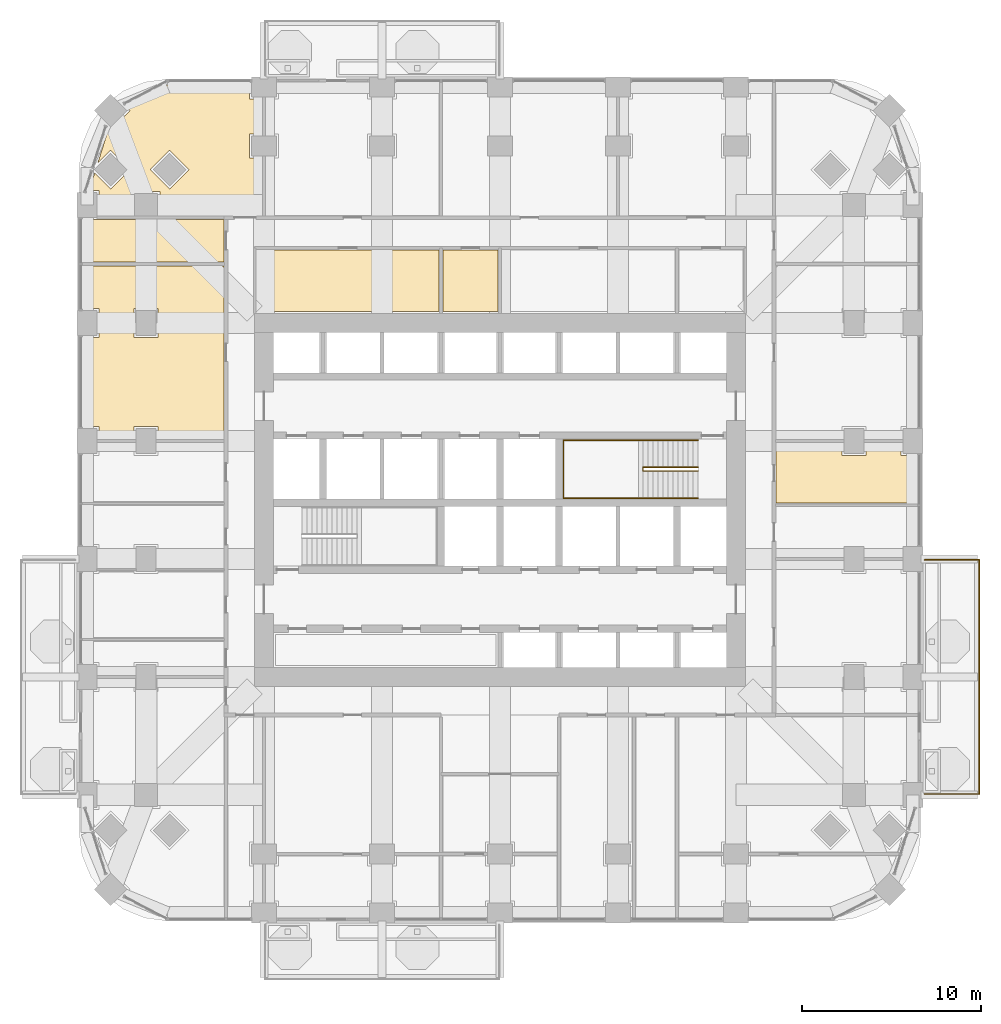
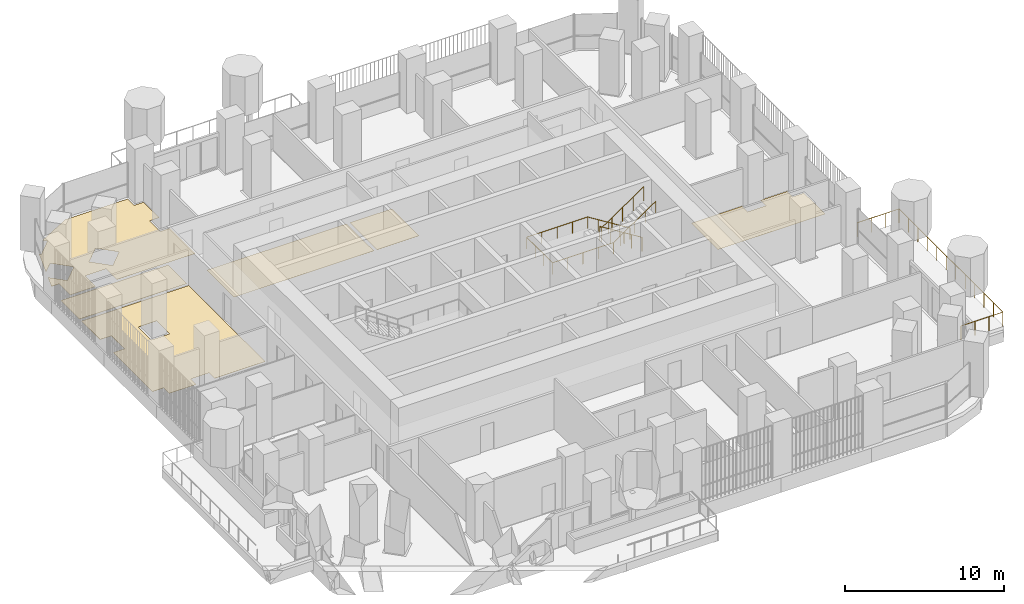
# One storey, part 19 of 21: 6 coverings, 3 railings.
"""IFC4 building model written with IfcOpenShell, lengths in metres."""

from ifc_helpers import new_model, si_unit, direction, frame, origin, place, context, subcontext, project, spatial, polyline, outline, extrude, material, layer, layer_set, type_object, element, save


model = new_model("IFC4")

# Units and contexts
model_context = context("Model", 3, precision=1e-05, world=origin(), true_north=direction((0.0, 1.0)))
body_context = subcontext(model_context, "Body", "Model", "MODEL_VIEW")
ifc_project = project(units=[si_unit("LENGTHUNIT", "METRE"), si_unit("AREAUNIT", "SQUARE_METRE"), si_unit("VOLUMEUNIT", "CUBIC_METRE"), si_unit("PLANEANGLEUNIT", "RADIAN"), si_unit("MASSUNIT", "GRAM", prefix="KILO")], contexts=[model_context])

# Site, building, storey
site_placement = place(None, origin())
site = spatial("IfcSite", under=ifc_project, at=site_placement, CompositionType="ELEMENT")
building_placement = place(site_placement, origin())
building = spatial("IfcBuilding", under=site, at=building_placement, Name="Cobogo Forest Laboratory Tower", CompositionType="ELEMENT")
storey_placement = place(building_placement, frame((0.0, 0.0, 115.800048828125)))
storey = spatial("IfcBuildingStorey", under=building, at=storey_placement, Name="L26", CompositionType="ELEMENT", Elevation=115.800048828125)

# Railing
ifc_material_1 = material(Name="Laminated glass balustrade", Category="glass")
railing_type_1 = type_object("IfcRailingType", Name="BG1 glass balustrade 1100", PredefinedType="GUARDRAIL", material=ifc_material_1)
railing_1_placement = place(storey_placement, frame((50.14990234375, 6.64990234375, 0.0)))
element("IfcRailing", 1, at=railing_1_placement, inside=storey, type_object=railing_type_1, Name="Balcony balustrade BAL-E1 L26", PredefinedType="GUARDRAIL", context=body_context, shape_type="SweptSolid", body=[
    extrude(outline(polyline([(0.022216796875, 0.00927734375), (0.00927734375, 0.022216796875), (-0.00927734375, 0.022216796875), (-0.022216796875, 0.00927734375), (-0.022216796875, -0.00927734375), (-0.00927734375, -0.022216796875), (0.00927734375, -0.022216796875), (0.022216796875, -0.00927734375), (0.022216796875, 0.00927734375)])), frame((0.0, 0.0, 1.077880859375), z_axis=(1.0, 0.0, 0.0), x_axis=(0.0, 1.0, 0.0)), (0.0, 0.0, 1.0), 3.050048828125),
    extrude(outline(polyline([(0.022216796875, 0.00927734375), (0.00927734375, 0.022216796875), (-0.00927734375, 0.022216796875), (-0.022216796875, 0.00927734375), (-0.022216796875, -0.00927734375), (-0.00927734375, -0.022216796875), (0.00927734375, -0.022216796875), (0.022216796875, -0.00927734375), (0.022216796875, 0.00927734375)])), frame((3.050048828125, 0.0, 1.077880859375), z_axis=(0.0, 1.0, 0.0), x_axis=(-1.0, 0.0, 0.0)), (0.0, 0.0, 1.0), 13.10009765625),
    extrude(outline(polyline([(0.022216796875, 0.00927734375), (0.00927734375, 0.022216796875), (-0.00927734375, 0.022216796875), (-0.022216796875, 0.00927734375), (-0.022216796875, -0.00927734375), (-0.00927734375, -0.022216796875), (0.00927734375, -0.022216796875), (0.022216796875, -0.00927734375), (0.022216796875, 0.00927734375)])), frame((3.050048828125, 13.10009765625, 1.077880859375), z_axis=(-1.0, 0.0, 0.0), x_axis=(0.0, -1.0, 0.0)), (0.0, 0.0, 1.0), 3.050048828125),
    extrude(outline(polyline([(0.019287109375, 0.008056640625), (0.008056640625, 0.019287109375), (-0.008056640625, 0.019287109375), (-0.019287109375, 0.008056640625), (-0.019287109375, -0.008056640625), (-0.008056640625, -0.019287109375), (0.008056640625, -0.019287109375), (0.019287109375, -0.008056640625), (0.019287109375, 0.008056640625)])), origin(), (0.0, 0.0, 1.0), 1.077880859375),
    extrude(outline(polyline([(0.019287109375, 0.008056640625), (0.008056640625, 0.019287109375), (-0.008056640625, 0.019287109375), (-0.019287109375, 0.008056640625), (-0.019287109375, -0.008056640625), (-0.008056640625, -0.019287109375), (0.008056640625, -0.019287109375), (0.019287109375, -0.008056640625), (0.019287109375, 0.008056640625)])), frame((1.0166015625, 0.0, 0.0)), (0.0, 0.0, 1.0), 1.077880859375),
    extrude(outline(polyline([(0.019287109375, 0.008056640625), (0.008056640625, 0.019287109375), (-0.008056640625, 0.019287109375), (-0.019287109375, 0.008056640625), (-0.019287109375, -0.008056640625), (-0.008056640625, -0.019287109375), (0.008056640625, -0.019287109375), (0.019287109375, -0.008056640625), (0.019287109375, 0.008056640625)])), frame((2.033447265625, 0.0, 0.0)), (0.0, 0.0, 1.0), 1.077880859375),
    extrude(outline(polyline([(0.019287109375, 0.008056640625), (0.008056640625, 0.019287109375), (-0.008056640625, 0.019287109375), (-0.019287109375, 0.008056640625), (-0.019287109375, -0.008056640625), (-0.008056640625, -0.019287109375), (0.008056640625, -0.019287109375), (0.019287109375, -0.008056640625), (0.019287109375, 0.008056640625)])), frame((3.050048828125, 0.0, 0.0)), (0.0, 0.0, 1.0), 1.077880859375),
    extrude(outline(polyline([(0.019287109375, 0.008056640625), (0.008056640625, 0.019287109375), (-0.008056640625, 0.019287109375), (-0.019287109375, 0.008056640625), (-0.019287109375, -0.008056640625), (-0.008056640625, -0.019287109375), (0.008056640625, -0.019287109375), (0.019287109375, -0.008056640625), (0.019287109375, 0.008056640625)])), frame((3.050048828125, 1.19091796875, 0.0)), (0.0, 0.0, 1.0), 1.077880859375),
    extrude(outline(polyline([(0.019287109375, 0.008056640625), (0.008056640625, 0.019287109375), (-0.008056640625, 0.019287109375), (-0.019287109375, 0.008056640625), (-0.019287109375, -0.008056640625), (-0.008056640625, -0.019287109375), (0.008056640625, -0.019287109375), (0.019287109375, -0.008056640625), (0.019287109375, 0.008056640625)])), frame((3.050048828125, 2.3818359375, 0.0)), (0.0, 0.0, 1.0), 1.077880859375),
    extrude(outline(polyline([(0.019287109375, 0.008056640625), (0.008056640625, 0.019287109375), (-0.008056640625, 0.019287109375), (-0.019287109375, 0.008056640625), (-0.019287109375, -0.008056640625), (-0.008056640625, -0.019287109375), (0.008056640625, -0.019287109375), (0.019287109375, -0.008056640625), (0.019287109375, 0.008056640625)])), frame((3.050048828125, 3.57275390625, 0.0)), (0.0, 0.0, 1.0), 1.077880859375),
    extrude(outline(polyline([(0.019287109375, 0.008056640625), (0.008056640625, 0.019287109375), (-0.008056640625, 0.019287109375), (-0.019287109375, 0.008056640625), (-0.019287109375, -0.008056640625), (-0.008056640625, -0.019287109375), (0.008056640625, -0.019287109375), (0.019287109375, -0.008056640625), (0.019287109375, 0.008056640625)])), frame((3.050048828125, 4.763671875, 0.0)), (0.0, 0.0, 1.0), 1.077880859375),
    extrude(outline(polyline([(0.019287109375, 0.008056640625), (0.008056640625, 0.019287109375), (-0.008056640625, 0.019287109375), (-0.019287109375, 0.008056640625), (-0.019287109375, -0.008056640625), (-0.008056640625, -0.019287109375), (0.008056640625, -0.019287109375), (0.019287109375, -0.008056640625), (0.019287109375, 0.008056640625)])), frame((3.050048828125, 5.95458984375, 0.0)), (0.0, 0.0, 1.0), 1.077880859375),
    extrude(outline(polyline([(0.019287109375, 0.008056640625), (0.008056640625, 0.019287109375), (-0.008056640625, 0.019287109375), (-0.019287109375, 0.008056640625), (-0.019287109375, -0.008056640625), (-0.008056640625, -0.019287109375), (0.008056640625, -0.019287109375), (0.019287109375, -0.008056640625), (0.019287109375, 0.008056640625)])), frame((3.050048828125, 7.1455078125, 0.0)), (0.0, 0.0, 1.0), 1.077880859375),
    extrude(outline(polyline([(0.019287109375, 0.008056640625), (0.008056640625, 0.019287109375), (-0.008056640625, 0.019287109375), (-0.019287109375, 0.008056640625), (-0.019287109375, -0.008056640625), (-0.008056640625, -0.019287109375), (0.008056640625, -0.019287109375), (0.019287109375, -0.008056640625), (0.019287109375, 0.008056640625)])), frame((3.050048828125, 8.33642578125, 0.0)), (0.0, 0.0, 1.0), 1.077880859375),
    extrude(outline(polyline([(0.019287109375, 0.008056640625), (0.008056640625, 0.019287109375), (-0.008056640625, 0.019287109375), (-0.019287109375, 0.008056640625), (-0.019287109375, -0.008056640625), (-0.008056640625, -0.019287109375), (0.008056640625, -0.019287109375), (0.019287109375, -0.008056640625), (0.019287109375, 0.008056640625)])), frame((3.050048828125, 9.52734375, 0.0)), (0.0, 0.0, 1.0), 1.077880859375),
    extrude(outline(polyline([(0.019287109375, 0.008056640625), (0.008056640625, 0.019287109375), (-0.008056640625, 0.019287109375), (-0.019287109375, 0.008056640625), (-0.019287109375, -0.008056640625), (-0.008056640625, -0.019287109375), (0.008056640625, -0.019287109375), (0.019287109375, -0.008056640625), (0.019287109375, 0.008056640625)])), frame((3.050048828125, 10.71826171875, 0.0)), (0.0, 0.0, 1.0), 1.077880859375),
    extrude(outline(polyline([(0.019287109375, 0.008056640625), (0.008056640625, 0.019287109375), (-0.008056640625, 0.019287109375), (-0.019287109375, 0.008056640625), (-0.019287109375, -0.008056640625), (-0.008056640625, -0.019287109375), (0.008056640625, -0.019287109375), (0.019287109375, -0.008056640625), (0.019287109375, 0.008056640625)])), frame((3.050048828125, 11.9091796875, 0.0)), (0.0, 0.0, 1.0), 1.077880859375),
    extrude(outline(polyline([(0.019287109375, 0.008056640625), (0.008056640625, 0.019287109375), (-0.008056640625, 0.019287109375), (-0.019287109375, 0.008056640625), (-0.019287109375, -0.008056640625), (-0.008056640625, -0.019287109375), (0.008056640625, -0.019287109375), (0.019287109375, -0.008056640625), (0.019287109375, 0.008056640625)])), frame((3.050048828125, 13.10009765625, 0.0)), (0.0, 0.0, 1.0), 1.077880859375),
    extrude(outline(polyline([(0.019287109375, 0.008056640625), (0.008056640625, 0.019287109375), (-0.008056640625, 0.019287109375), (-0.019287109375, 0.008056640625), (-0.019287109375, -0.008056640625), (-0.008056640625, -0.019287109375), (0.008056640625, -0.019287109375), (0.019287109375, -0.008056640625), (0.019287109375, 0.008056640625)])), frame((2.033447265625, 13.10009765625, 0.0)), (0.0, 0.0, 1.0), 1.077880859375),
    extrude(outline(polyline([(0.019287109375, 0.008056640625), (0.008056640625, 0.019287109375), (-0.008056640625, 0.019287109375), (-0.019287109375, 0.008056640625), (-0.019287109375, -0.008056640625), (-0.008056640625, -0.019287109375), (0.008056640625, -0.019287109375), (0.019287109375, -0.008056640625), (0.019287109375, 0.008056640625)])), frame((1.0166015625, 13.10009765625, 0.0)), (0.0, 0.0, 1.0), 1.077880859375),
    extrude(outline(polyline([(0.019287109375, 0.008056640625), (0.008056640625, 0.019287109375), (-0.008056640625, 0.019287109375), (-0.019287109375, 0.008056640625), (-0.019287109375, -0.008056640625), (-0.008056640625, -0.019287109375), (0.008056640625, -0.019287109375), (0.019287109375, -0.008056640625), (0.019287109375, 0.008056640625)])), frame((0.0, 13.10009765625, 0.0)), (0.0, 0.0, 1.0), 1.077880859375),
])

# Coverings
ifc_material_2 = material(Name="Carpet tile on raised access floor", Category="flooring")
ifc_layer_1 = layer(ifc_material_2, 0.008056640625)
ifc_layer_set_1 = layer_set([ifc_layer_1], Name="CT1 carpet tile floor 8")
covering_type_1 = type_object("IfcCoveringType", Name="CT1 carpet tile floor 8", PredefinedType="FLOORING", material=ifc_layer_set_1)
covering_1_placement = place(storey_placement, origin())
element("IfcCovering", 2, at=covering_1_placement, inside=storey, type_object=covering_type_1, Name="Carpet floor L26-28", PredefinedType="FLOORING", context=body_context, shape_type="SweptSolid", body=[
    extrude(outline(polyline([(10.955078125, 26.52001953125), (7.27001953125, 26.52001953125), (7.27001953125, 27.219970703125), (5.929931640625, 27.219970703125), (5.929931640625, 26.52001953125), (3.969970703125, 26.52001953125), (3.969970703125, 27.219970703125), (3.14990234375, 27.219970703125), (3.14990234375, 32.179931640625), (3.969970703125, 32.179931640625), (3.969970703125, 33.820068359375), (3.14990234375, 33.820068359375), (3.14990234375, 36.179931640625), (10.955078125, 36.179931640625), (10.955078125, 26.52001953125)]), holes=[polyline([(5.929931640625, 32.179931640625), (7.27001953125, 32.179931640625), (7.27001953125, 33.820068359375), (5.929931640625, 33.820068359375), (5.929931640625, 32.179931640625)])]), origin(), (0.0, 0.0, 1.0), 0.008056640625),
])
covering_2_placement = place(storey_placement, origin())
element("IfcCovering", 3, at=covering_2_placement, inside=storey, type_object=covering_type_1, Name="Carpet floor L26-29", PredefinedType="FLOORING", context=body_context, shape_type="SweptSolid", body=[
    extrude(outline(polyline([(10.955078125, 36.419921875), (3.14990234375, 36.419921875), (3.14990234375, 38.780029296875), (10.955078125, 38.780029296875), (10.955078125, 36.419921875)])), origin(), (0.0, 0.0, 1.0), 0.008056640625),
])

# Railings
ifc_material_3 = material(Name="Steel balustrade", Category="steel")
railing_type_2 = type_object("IfcRailingType", Name="GR stair guard 1100", PredefinedType="GUARDRAIL", material=ifc_material_3)
railing_2_placement = place(storey_placement, frame((37.47509765625, 24.929931640625, 0.175048828125)))
element("IfcRailing", 4, at=railing_2_placement, inside=storey, type_object=railing_type_2, Name="Stair guard ST2 L26", PredefinedType="GUARDRAIL", context=body_context, shape_type="SweptSolid", body=[
    extrude(outline(polyline([(0.022216796875, 0.00927734375), (0.00927734375, 0.022216796875), (-0.00927734375, 0.022216796875), (-0.022216796875, 0.00927734375), (-0.022216796875, -0.00927734375), (-0.00927734375, -0.022216796875), (0.00927734375, -0.022216796875), (0.022216796875, -0.00927734375), (0.022216796875, 0.00927734375)])), frame((0.0, 0.0, 1.077880859375), z_axis=(-0.848028513186, 0.0, 0.529950602248), x_axis=(0.0, -1.0, 0.0)), (0.0, 0.0, 1.0), 3.632080078125),
    extrude(outline(polyline([(0.022216796875, 0.00927734375), (0.00927734375, 0.022216796875), (-0.00927734375, 0.022216796875), (-0.022216796875, 0.00927734375), (-0.022216796875, -0.00927734375), (-0.00927734375, -0.022216796875), (0.00927734375, -0.022216796875), (0.022216796875, -0.00927734375), (0.022216796875, 0.00927734375)])), frame((-3.080078125, 0.0, 3.002685546875), z_axis=(0.0, -1.0, 0.0), x_axis=(1.0, 0.0, 0.0)), (0.0, 0.0, 1.0), 0.2099609375),
    extrude(outline(polyline([(0.022216796875, 0.00927734375), (0.00927734375, 0.022216796875), (-0.00927734375, 0.022216796875), (-0.022216796875, 0.00927734375), (-0.022216796875, -0.00927734375), (-0.00927734375, -0.022216796875), (0.00927734375, -0.022216796875), (0.022216796875, -0.00927734375), (0.022216796875, 0.00927734375)])), frame((-3.080078125, -0.2099609375, 3.002685546875), z_axis=(0.826221800596, 0.0, 0.563344953133), x_axis=(0.0, 1.0, 0.0)), (0.0, 0.0, 1.0), 3.72802734375),
    extrude(outline(polyline([(0.019287109375, 0.008056640625), (0.008056640625, 0.019287109375), (-0.008056640625, 0.019287109375), (-0.019287109375, 0.008056640625), (-0.019287109375, -0.008056640625), (-0.008056640625, -0.019287109375), (0.008056640625, -0.019287109375), (0.019287109375, -0.008056640625), (0.019287109375, 0.008056640625)])), origin(), (0.0, 0.0, 1.0), 1.077880859375),
    extrude(outline(polyline([(0.019287109375, 0.008056640625), (0.008056640625, 0.019287109375), (-0.008056640625, 0.019287109375), (-0.019287109375, 0.008056640625), (-0.019287109375, -0.008056640625), (-0.008056640625, -0.019287109375), (0.008056640625, -0.019287109375), (0.019287109375, -0.008056640625), (0.019287109375, 0.008056640625)])), frame((-0.77001953125, 0.0, 0.481201171875)), (0.0, 0.0, 1.0), 1.077880859375),
    extrude(outline(polyline([(0.019287109375, 0.008056640625), (0.008056640625, 0.019287109375), (-0.008056640625, 0.019287109375), (-0.019287109375, 0.008056640625), (-0.019287109375, -0.008056640625), (-0.008056640625, -0.019287109375), (0.008056640625, -0.019287109375), (0.019287109375, -0.008056640625), (0.019287109375, 0.008056640625)])), frame((-1.5400390625, 0.0, 0.96240234375)), (0.0, 0.0, 1.0), 1.077880859375),
    extrude(outline(polyline([(0.019287109375, 0.008056640625), (0.008056640625, 0.019287109375), (-0.008056640625, 0.019287109375), (-0.019287109375, 0.008056640625), (-0.019287109375, -0.008056640625), (-0.008056640625, -0.019287109375), (0.008056640625, -0.019287109375), (0.019287109375, -0.008056640625), (0.019287109375, 0.008056640625)])), frame((-2.31005859375, 0.0, 1.443603515625)), (0.0, 0.0, 1.0), 1.077880859375),
    extrude(outline(polyline([(0.019287109375, 0.008056640625), (0.008056640625, 0.019287109375), (-0.008056640625, 0.019287109375), (-0.019287109375, 0.008056640625), (-0.019287109375, -0.008056640625), (-0.008056640625, -0.019287109375), (0.008056640625, -0.019287109375), (0.019287109375, -0.008056640625), (0.019287109375, 0.008056640625)])), frame((-3.080078125, 0.0, 1.9248046875)), (0.0, 0.0, 1.0), 1.077880859375),
    extrude(outline(polyline([(0.019287109375, 0.008056640625), (0.008056640625, 0.019287109375), (-0.008056640625, 0.019287109375), (-0.019287109375, 0.008056640625), (-0.019287109375, -0.008056640625), (-0.008056640625, -0.019287109375), (0.008056640625, -0.019287109375), (0.019287109375, -0.008056640625), (0.019287109375, 0.008056640625)])), frame((-3.080078125, -0.2099609375, 1.9248046875)), (0.0, 0.0, 1.0), 1.077880859375),
    extrude(outline(polyline([(0.019287109375, 0.008056640625), (0.008056640625, 0.019287109375), (-0.008056640625, 0.019287109375), (-0.019287109375, 0.008056640625), (-0.019287109375, -0.008056640625), (-0.008056640625, -0.019287109375), (0.008056640625, -0.019287109375), (0.019287109375, -0.008056640625), (0.019287109375, 0.008056640625)])), frame((-2.31005859375, -0.2099609375, 2.44970703125)), (0.0, 0.0, 1.0), 1.077880859375),
    extrude(outline(polyline([(0.019287109375, 0.008056640625), (0.008056640625, 0.019287109375), (-0.008056640625, 0.019287109375), (-0.019287109375, 0.008056640625), (-0.019287109375, -0.008056640625), (-0.008056640625, -0.019287109375), (0.008056640625, -0.019287109375), (0.019287109375, -0.008056640625), (0.019287109375, 0.008056640625)])), frame((-1.5400390625, -0.2099609375, 2.974853515625)), (0.0, 0.0, 1.0), 1.077880859375),
    extrude(outline(polyline([(0.019287109375, 0.008056640625), (0.008056640625, 0.019287109375), (-0.008056640625, 0.019287109375), (-0.019287109375, 0.008056640625), (-0.019287109375, -0.008056640625), (-0.008056640625, -0.019287109375), (0.008056640625, -0.019287109375), (0.019287109375, -0.008056640625), (0.019287109375, 0.008056640625)])), frame((-0.77001953125, -0.2099609375, 3.5)), (0.0, 0.0, 1.0), 1.077880859375),
    extrude(outline(polyline([(0.019287109375, 0.008056640625), (0.008056640625, 0.019287109375), (-0.008056640625, 0.019287109375), (-0.019287109375, 0.008056640625), (-0.019287109375, -0.008056640625), (-0.008056640625, -0.019287109375), (0.008056640625, -0.019287109375), (0.019287109375, -0.008056640625), (0.019287109375, 0.008056640625)])), frame((0.0, -0.2099609375, 4.02490234375)), (0.0, 0.0, 1.0), 1.077880859375),
])
ifc_material_4 = material(Name="Stainless steel handrail", Category="steel")
railing_type_3 = type_object("IfcRailingType", Name="HR handrail 900", PredefinedType="HANDRAIL", material=ifc_material_4)
railing_3_placement = place(storey_placement, frame((37.47509765625, 26.449951171875, 0.175048828125)))
element("IfcRailing", 5, at=railing_3_placement, inside=storey, type_object=railing_type_3, Name="Stair handrail ST2 L26", PredefinedType="HANDRAIL", context=body_context, shape_type="SweptSolid", body=[
    extrude(outline(polyline([(0.022216796875, 0.00927734375), (0.00927734375, 0.022216796875), (-0.00927734375, 0.022216796875), (-0.022216796875, 0.00927734375), (-0.022216796875, -0.00927734375), (-0.00927734375, -0.022216796875), (0.00927734375, -0.022216796875), (0.022216796875, -0.00927734375), (0.022216796875, 0.00927734375)])), frame((0.0, 0.0, 0.877685546875), z_axis=(-0.848028513186, 0.0, 0.529950602248), x_axis=(0.0, -1.0, 0.0)), (0.0, 0.0, 1.0), 3.632080078125),
    extrude(outline(polyline([(0.022216796875, 0.00927734375), (0.00927734375, 0.022216796875), (-0.00927734375, 0.022216796875), (-0.022216796875, 0.00927734375), (-0.022216796875, -0.00927734375), (-0.00927734375, -0.022216796875), (0.00927734375, -0.022216796875), (0.022216796875, -0.00927734375), (0.022216796875, 0.00927734375)])), frame((-3.080078125, 0.0, 2.802490234375), z_axis=(-1.0, 0.0, 0.0), x_axis=(0.0, -1.0, 0.0)), (0.0, 0.0, 1.0), 4.445068359375),
    extrude(outline(polyline([(0.022216796875, 0.00927734375), (0.00927734375, 0.022216796875), (-0.00927734375, 0.022216796875), (-0.022216796875, 0.00927734375), (-0.022216796875, -0.00927734375), (-0.00927734375, -0.022216796875), (0.00927734375, -0.022216796875), (0.022216796875, -0.00927734375), (0.022216796875, 0.00927734375)])), frame((-7.525146484375, 0.0, 2.802490234375), z_axis=(0.0, -1.0, 0.0), x_axis=(1.0, 0.0, 0.0)), (0.0, 0.0, 1.0), 3.25),
    extrude(outline(polyline([(0.022216796875, 0.00927734375), (0.00927734375, 0.022216796875), (-0.00927734375, 0.022216796875), (-0.022216796875, 0.00927734375), (-0.022216796875, -0.00927734375), (-0.00927734375, -0.022216796875), (0.00927734375, -0.022216796875), (0.022216796875, -0.00927734375), (0.022216796875, 0.00927734375)])), frame((-7.525146484375, -3.25, 2.802490234375), z_axis=(1.0, 0.0, 0.0), x_axis=(0.0, 1.0, 0.0)), (0.0, 0.0, 1.0), 4.445068359375),
    extrude(outline(polyline([(0.022216796875, 0.00927734375), (0.00927734375, 0.022216796875), (-0.00927734375, 0.022216796875), (-0.022216796875, 0.00927734375), (-0.022216796875, -0.00927734375), (-0.00927734375, -0.022216796875), (0.00927734375, -0.022216796875), (0.022216796875, -0.00927734375), (0.022216796875, 0.00927734375)])), frame((-3.080078125, -3.25, 2.802490234375), z_axis=(0.826221800596, 0.0, 0.563344953133), x_axis=(0.0, 1.0, 0.0)), (0.0, 0.0, 1.0), 3.72802734375),
    extrude(outline(polyline([(0.019287109375, 0.008056640625), (0.008056640625, 0.019287109375), (-0.008056640625, 0.019287109375), (-0.019287109375, 0.008056640625), (-0.019287109375, -0.008056640625), (-0.008056640625, -0.019287109375), (0.008056640625, -0.019287109375), (0.019287109375, -0.008056640625), (0.019287109375, 0.008056640625)])), origin(), (0.0, 0.0, 1.0), 0.877685546875),
    extrude(outline(polyline([(0.019287109375, 0.008056640625), (0.008056640625, 0.019287109375), (-0.008056640625, 0.019287109375), (-0.019287109375, 0.008056640625), (-0.019287109375, -0.008056640625), (-0.008056640625, -0.019287109375), (0.008056640625, -0.019287109375), (0.019287109375, -0.008056640625), (0.019287109375, 0.008056640625)])), frame((-0.77001953125, 0.0, 0.481201171875)), (0.0, 0.0, 1.0), 0.877685546875),
    extrude(outline(polyline([(0.019287109375, 0.008056640625), (0.008056640625, 0.019287109375), (-0.008056640625, 0.019287109375), (-0.019287109375, 0.008056640625), (-0.019287109375, -0.008056640625), (-0.008056640625, -0.019287109375), (0.008056640625, -0.019287109375), (0.019287109375, -0.008056640625), (0.019287109375, 0.008056640625)])), frame((-1.5400390625, 0.0, 0.96240234375)), (0.0, 0.0, 1.0), 0.877685546875),
    extrude(outline(polyline([(0.019287109375, 0.008056640625), (0.008056640625, 0.019287109375), (-0.008056640625, 0.019287109375), (-0.019287109375, 0.008056640625), (-0.019287109375, -0.008056640625), (-0.008056640625, -0.019287109375), (0.008056640625, -0.019287109375), (0.019287109375, -0.008056640625), (0.019287109375, 0.008056640625)])), frame((-2.31005859375, 0.0, 1.443603515625)), (0.0, 0.0, 1.0), 0.877685546875),
    extrude(outline(polyline([(0.019287109375, 0.008056640625), (0.008056640625, 0.019287109375), (-0.008056640625, 0.019287109375), (-0.019287109375, 0.008056640625), (-0.019287109375, -0.008056640625), (-0.008056640625, -0.019287109375), (0.008056640625, -0.019287109375), (0.019287109375, -0.008056640625), (0.019287109375, 0.008056640625)])), frame((-3.080078125, 0.0, 1.9248046875)), (0.0, 0.0, 1.0), 0.877685546875),
    extrude(outline(polyline([(0.019287109375, 0.008056640625), (0.008056640625, 0.019287109375), (-0.008056640625, 0.019287109375), (-0.019287109375, 0.008056640625), (-0.019287109375, -0.008056640625), (-0.008056640625, -0.019287109375), (0.008056640625, -0.019287109375), (0.019287109375, -0.008056640625), (0.019287109375, 0.008056640625)])), frame((-4.19140625, 0.0, 1.9248046875)), (0.0, 0.0, 1.0), 0.877685546875),
    extrude(outline(polyline([(0.019287109375, 0.008056640625), (0.008056640625, 0.019287109375), (-0.008056640625, 0.019287109375), (-0.019287109375, 0.008056640625), (-0.019287109375, -0.008056640625), (-0.008056640625, -0.019287109375), (0.008056640625, -0.019287109375), (0.019287109375, -0.008056640625), (0.019287109375, 0.008056640625)])), frame((-5.302734375, 0.0, 1.9248046875)), (0.0, 0.0, 1.0), 0.877685546875),
    extrude(outline(polyline([(0.019287109375, 0.008056640625), (0.008056640625, 0.019287109375), (-0.008056640625, 0.019287109375), (-0.019287109375, 0.008056640625), (-0.019287109375, -0.008056640625), (-0.008056640625, -0.019287109375), (0.008056640625, -0.019287109375), (0.019287109375, -0.008056640625), (0.019287109375, 0.008056640625)])), frame((-6.413818359375, 0.0, 1.9248046875)), (0.0, 0.0, 1.0), 0.877685546875),
    extrude(outline(polyline([(0.019287109375, 0.008056640625), (0.008056640625, 0.019287109375), (-0.008056640625, 0.019287109375), (-0.019287109375, 0.008056640625), (-0.019287109375, -0.008056640625), (-0.008056640625, -0.019287109375), (0.008056640625, -0.019287109375), (0.019287109375, -0.008056640625), (0.019287109375, 0.008056640625)])), frame((-7.525146484375, 0.0, 1.9248046875)), (0.0, 0.0, 1.0), 0.877685546875),
    extrude(outline(polyline([(0.019287109375, 0.008056640625), (0.008056640625, 0.019287109375), (-0.008056640625, 0.019287109375), (-0.019287109375, 0.008056640625), (-0.019287109375, -0.008056640625), (-0.008056640625, -0.019287109375), (0.008056640625, -0.019287109375), (0.019287109375, -0.008056640625), (0.019287109375, 0.008056640625)])), frame((-7.525146484375, -1.083251953125, 1.9248046875)), (0.0, 0.0, 1.0), 0.877685546875),
    extrude(outline(polyline([(0.019287109375, 0.008056640625), (0.008056640625, 0.019287109375), (-0.008056640625, 0.019287109375), (-0.019287109375, 0.008056640625), (-0.019287109375, -0.008056640625), (-0.008056640625, -0.019287109375), (0.008056640625, -0.019287109375), (0.019287109375, -0.008056640625), (0.019287109375, 0.008056640625)])), frame((-7.525146484375, -2.166748046875, 1.9248046875)), (0.0, 0.0, 1.0), 0.877685546875),
    extrude(outline(polyline([(0.019287109375, 0.008056640625), (0.008056640625, 0.019287109375), (-0.008056640625, 0.019287109375), (-0.019287109375, 0.008056640625), (-0.019287109375, -0.008056640625), (-0.008056640625, -0.019287109375), (0.008056640625, -0.019287109375), (0.019287109375, -0.008056640625), (0.019287109375, 0.008056640625)])), frame((-7.525146484375, -3.25, 1.9248046875)), (0.0, 0.0, 1.0), 0.877685546875),
    extrude(outline(polyline([(0.019287109375, 0.008056640625), (0.008056640625, 0.019287109375), (-0.008056640625, 0.019287109375), (-0.019287109375, 0.008056640625), (-0.019287109375, -0.008056640625), (-0.008056640625, -0.019287109375), (0.008056640625, -0.019287109375), (0.019287109375, -0.008056640625), (0.019287109375, 0.008056640625)])), frame((-6.413818359375, -3.25, 1.9248046875)), (0.0, 0.0, 1.0), 0.877685546875),
    extrude(outline(polyline([(0.019287109375, 0.008056640625), (0.008056640625, 0.019287109375), (-0.008056640625, 0.019287109375), (-0.019287109375, 0.008056640625), (-0.019287109375, -0.008056640625), (-0.008056640625, -0.019287109375), (0.008056640625, -0.019287109375), (0.019287109375, -0.008056640625), (0.019287109375, 0.008056640625)])), frame((-5.302734375, -3.25, 1.9248046875)), (0.0, 0.0, 1.0), 0.877685546875),
    extrude(outline(polyline([(0.019287109375, 0.008056640625), (0.008056640625, 0.019287109375), (-0.008056640625, 0.019287109375), (-0.019287109375, 0.008056640625), (-0.019287109375, -0.008056640625), (-0.008056640625, -0.019287109375), (0.008056640625, -0.019287109375), (0.019287109375, -0.008056640625), (0.019287109375, 0.008056640625)])), frame((-4.19140625, -3.25, 1.9248046875)), (0.0, 0.0, 1.0), 0.877685546875),
    extrude(outline(polyline([(0.019287109375, 0.008056640625), (0.008056640625, 0.019287109375), (-0.008056640625, 0.019287109375), (-0.019287109375, 0.008056640625), (-0.019287109375, -0.008056640625), (-0.008056640625, -0.019287109375), (0.008056640625, -0.019287109375), (0.019287109375, -0.008056640625), (0.019287109375, 0.008056640625)])), frame((-3.080078125, -3.25, 1.9248046875)), (0.0, 0.0, 1.0), 0.877685546875),
    extrude(outline(polyline([(0.019287109375, 0.008056640625), (0.008056640625, 0.019287109375), (-0.008056640625, 0.019287109375), (-0.019287109375, 0.008056640625), (-0.019287109375, -0.008056640625), (-0.008056640625, -0.019287109375), (0.008056640625, -0.019287109375), (0.019287109375, -0.008056640625), (0.019287109375, 0.008056640625)])), frame((-2.31005859375, -3.25, 2.44970703125)), (0.0, 0.0, 1.0), 0.877685546875),
    extrude(outline(polyline([(0.019287109375, 0.008056640625), (0.008056640625, 0.019287109375), (-0.008056640625, 0.019287109375), (-0.019287109375, 0.008056640625), (-0.019287109375, -0.008056640625), (-0.008056640625, -0.019287109375), (0.008056640625, -0.019287109375), (0.019287109375, -0.008056640625), (0.019287109375, 0.008056640625)])), frame((-1.5400390625, -3.25, 2.974853515625)), (0.0, 0.0, 1.0), 0.877685546875),
    extrude(outline(polyline([(0.019287109375, 0.008056640625), (0.008056640625, 0.019287109375), (-0.008056640625, 0.019287109375), (-0.019287109375, 0.008056640625), (-0.019287109375, -0.008056640625), (-0.008056640625, -0.019287109375), (0.008056640625, -0.019287109375), (0.019287109375, -0.008056640625), (0.019287109375, 0.008056640625)])), frame((-0.77001953125, -3.25, 3.5)), (0.0, 0.0, 1.0), 0.877685546875),
    extrude(outline(polyline([(0.019287109375, 0.008056640625), (0.008056640625, 0.019287109375), (-0.008056640625, 0.019287109375), (-0.019287109375, 0.008056640625), (-0.019287109375, -0.008056640625), (-0.008056640625, -0.019287109375), (0.008056640625, -0.019287109375), (0.019287109375, -0.008056640625), (0.019287109375, 0.008056640625)])), frame((0.0, -3.25, 4.02490234375)), (0.0, 0.0, 1.0), 0.877685546875),
])

# Coverings
ifc_material_5 = material(Name="Epoxy resin flooring", Category="flooring")
ifc_layer_2 = layer(ifc_material_5, 0.00390625)
ifc_layer_set_2 = layer_set([ifc_layer_2], Name="LF1 epoxy laboratory floor 4")
covering_type_2 = type_object("IfcCoveringType", Name="LF1 epoxy laboratory floor 4", PredefinedType="FLOORING", material=ifc_layer_set_2)
covering_3_placement = place(storey_placement, origin())
element("IfcCovering", 6, at=covering_3_placement, inside=storey, type_object=covering_type_2, Name="Epoxy laboratory floor L26-01", PredefinedType="FLOORING", context=body_context, shape_type="SweptSolid", body=[
    extrude(outline(polyline([(22.97998046875, 33.64501953125), (12.794921875, 33.64501953125), (12.794921875, 37.080078125), (22.97998046875, 37.080078125), (22.97998046875, 33.64501953125)])), origin(), (0.0, 0.0, 1.0), 0.00390625),
])
covering_4_placement = place(storey_placement, origin())
element("IfcCovering", 7, at=covering_4_placement, inside=storey, type_object=covering_type_2, Name="Epoxy laboratory floor L26-19", PredefinedType="FLOORING", context=body_context, shape_type="SweptSolid", body=[
    extrude(outline(polyline([(3.72412109375, 41.386962890625), (4.617919921875, 40.492919921875), (5.70703125, 41.58203125), (4.617919921875, 42.6708984375), (3.904052734375, 41.95703125), (4.51611328125, 43.89501953125), (4.617919921875, 43.79296875), (5.70703125, 44.882080078125), (5.480712890625, 45.1083984375), (7.84912109375, 46.35009765625), (12.3798828125, 46.35009765625), (12.3798828125, 45.530029296875), (13.080078125, 45.530029296875), (13.080078125, 43.570068359375), (12.3798828125, 43.570068359375), (12.3798828125, 42.22998046875), (13.080078125, 42.22998046875), (13.080078125, 39.02001953125), (7.3701171875, 39.02001953125), (7.3701171875, 40.3701171875), (5.830078125, 40.3701171875), (5.830078125, 39.02001953125), (3.969970703125, 39.02001953125), (3.969970703125, 40.419921875), (3.418701171875, 40.419921875), (3.72412109375, 41.386962890625)]), holes=[polyline([(6.8291015625, 41.58203125), (7.91796875, 40.492919921875), (9.007080078125, 41.58203125), (7.91796875, 42.6708984375), (6.8291015625, 41.58203125)])]), origin(), (0.0, 0.0, 1.0), 0.00390625),
])
ifc_material_6 = material(Name="Static-dissipative vinyl flooring", Category="flooring")
ifc_layer_3 = layer(ifc_material_6, 0.0029296875)
ifc_layer_set_3 = layer_set([ifc_layer_3], Name="SD1 static-dissipative vinyl floor 3")
covering_type_3 = type_object("IfcCoveringType", Name="SD1 static-dissipative vinyl floor 3", PredefinedType="FLOORING", material=ifc_layer_set_3)
covering_5_placement = place(storey_placement, origin())
element("IfcCovering", 8, at=covering_5_placement, inside=storey, type_object=covering_type_3, Name="Static-dissipative floor L26-16", PredefinedType="FLOORING", context=body_context, shape_type="SweptSolid", body=[
    extrude(outline(polyline([(41.844970703125, 26.280029296875), (45.530029296875, 26.280029296875), (45.530029296875, 25.580078125), (46.8701171875, 25.580078125), (46.8701171875, 26.280029296875), (48.830078125, 26.280029296875), (48.830078125, 25.580078125), (49.64990234375, 25.580078125), (49.64990234375, 22.919921875), (41.844970703125, 22.919921875), (41.844970703125, 26.280029296875)])), origin(), (0.0, 0.0, 1.0), 0.0029296875),
])
ifc_material_7 = material(Name="Ceramic floor tile", Category="flooring")
ifc_layer_4 = layer(ifc_material_7, 0.010009765625)
ifc_layer_set_4 = layer_set([ifc_layer_4], Name="TF1 ceramic tile floor 10")
covering_type_4 = type_object("IfcCoveringType", Name="TF1 ceramic tile floor 10", PredefinedType="FLOORING", material=ifc_layer_set_4)
covering_6_placement = place(storey_placement, origin())
element("IfcCovering", 9, at=covering_6_placement, inside=storey, type_object=covering_type_4, Name="Tile floor L26-02", PredefinedType="FLOORING", context=body_context, shape_type="SweptSolid", body=[
    extrude(outline(polyline([(26.280029296875, 33.64501953125), (23.219970703125, 33.64501953125), (23.219970703125, 37.080078125), (26.280029296875, 37.080078125), (26.280029296875, 33.64501953125)])), origin(), (0.0, 0.0, 1.0), 0.010009765625),
])

save(model, "model.ifc")
